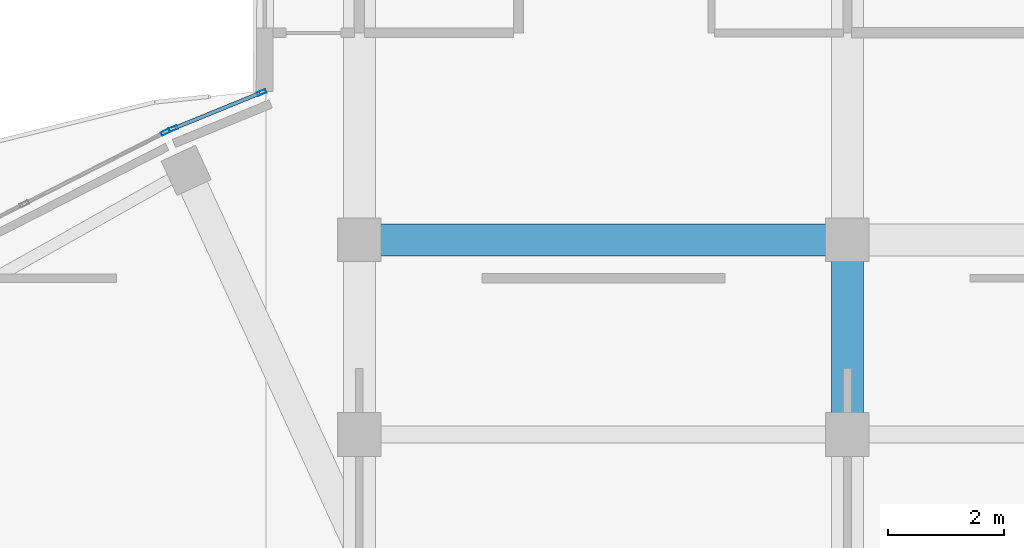
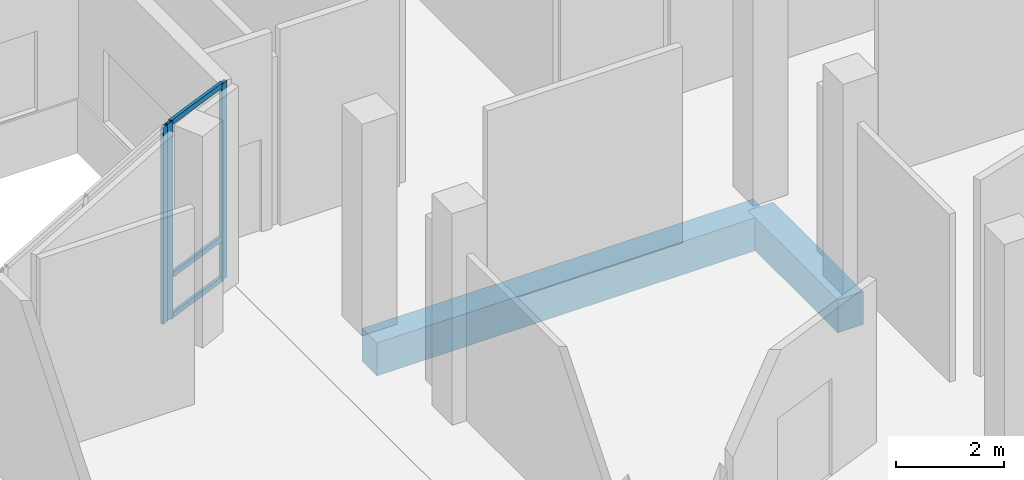
# One storey, part 80 of 155: 6 members, 2 beams, 2 elements without a shape of their own.
"""IFC4 building model written with IfcOpenShell, lengths in metres."""

from ifc_helpers import new_model, si_unit, direction, frame, origin, origin_2d, place, context, subcontext, project, spatial, rectangle, hollow_rectangle, extrude, material, material_profile, profile_set, type_object, element, aggregate, save


model = new_model("IFC4")

# Units and contexts
model_context = context("Model", 3, precision=1e-05, world=origin(), true_north=direction((0.0, 1.0)))
body_context = subcontext(model_context, "Body", "Model", "MODEL_VIEW")
ifc_project = project(units=[si_unit("LENGTHUNIT", "METRE"), si_unit("AREAUNIT", "SQUARE_METRE"), si_unit("VOLUMEUNIT", "CUBIC_METRE"), si_unit("PLANEANGLEUNIT", "RADIAN"), si_unit("MASSUNIT", "GRAM", prefix="KILO")], contexts=[model_context])

# Site, building, storey
site_placement = place(None, origin())
site = spatial("IfcSite", under=ifc_project, at=site_placement, CompositionType="ELEMENT")
building_placement = place(site_placement, origin())
building = spatial("IfcBuilding", under=site, at=building_placement, Name="Selatvlak General Hospital", CompositionType="ELEMENT")
storey_placement = place(building_placement, frame((0.0, 0.0, 10.199951171875)))
storey = spatial("IfcBuildingStorey", under=building, at=storey_placement, Name="L02", CompositionType="ELEMENT", Elevation=10.199951171875)

# Beams
ifc_material_1 = material(Name="Concrete C40/50", Category="concrete")
ifc_material_profile_1 = material_profile(ifc_material_1, rectangle(XDim=0.550048828125, YDim=0.75, at=origin_2d()), Name="RC-BM 550x750")
ifc_profile_set_1 = profile_set([ifc_material_profile_1], Name="Concrete C40/50")
beam_type = type_object("IfcBeamType", Name="BM-G02", PredefinedType="BEAM", material=ifc_profile_set_1)
beam_1_placement = place(storey_placement, frame((115.199951171875, 76.0, -0.72998046875), z_axis=(1.0, 0.0, 0.0), x_axis=(0.0, 1.0, 0.0)))
element("IfcBeam", 1, at=beam_1_placement, inside=storey, type_object=beam_type, Name="Beam BMR-L02-0798", PredefinedType="BEAM", context=body_context, shape_type="SweptSolid", body=[
    extrude(rectangle(XDim=0.550048828125, YDim=0.75, at=origin_2d()), origin(), (0.0, 0.0, 1.0), 8.400146484375),
])
beam_2_placement = place(storey_placement, frame((123.60009765625, 72.64990234375, -0.72998046875), z_axis=(0.0, 1.0, 0.0), x_axis=(-1.0, 0.0, 0.0)))
element("IfcBeam", 2, at=beam_2_placement, inside=storey, type_object=beam_type, Name="Beam BMR-L02-1012", PredefinedType="BEAM", context=body_context, shape_type="SweptSolid", body=[
    extrude(rectangle(XDim=0.550048828125, YDim=0.75, at=origin_2d()), origin(), (0.0, 0.0, 1.0), 3.35009765625),
])

# Curtain wall, member
ifc_material_2 = material(Name="Solar-control Low-E double glazing", Category="glass")
curtain_wall_type_1 = type_object("IfcCurtainWallType", Name="CW-CW-01", PredefinedType="USERDEFINED", material=ifc_material_2)
curtain_wall_1_placement = place(storey_placement, origin())
curtain_wall_1 = element("IfcCurtainWall", 3, at=curtain_wall_1_placement, inside=storey, type_object=curtain_wall_type_1, Name="Glazed facade curtain wall CW-L02-0355", ObjectType="UNITISED CURTAIN WALL", PredefinedType="USERDEFINED")
ifc_material_3 = material(Name="Dark anodised aluminium mullion", Category="aluminium")
ifc_material_profile_2 = material_profile(ifc_material_3, hollow_rectangle(XDim=0.06494140625, YDim=0.159912109375, WallThickness=0.00390625, at=origin_2d()), Name="AL-MUL 65x160x4")
ifc_profile_set_2 = profile_set([ifc_material_profile_2], Name="Dark anodised aluminium mullion")
member_type_1 = type_object("IfcMemberType", Name="CWM-01", PredefinedType="MULLION", material=ifc_profile_set_2)
member_1_placement = place(storey_placement, frame((111.866943359375, 77.854248046875, 0.0), z_axis=(0.0, 0.0, 1.0), x_axis=(-0.453361318983, 0.891326828077, 0.0)))
member_1 = element("IfcMember", 4, at=member_1_placement, type_object=member_type_1, Name="CW-01 mullion 3", PredefinedType="MULLION", context=body_context, shape_type="SweptSolid", body=[
    extrude(hollow_rectangle(XDim=0.06494140625, YDim=0.159912109375, WallThickness=0.00390625, at=origin_2d()), origin(), (0.0, 0.0, 1.0), 4.4599609375),
])
aggregate(curtain_wall_1, [member_1])

# Curtain wall, members
curtain_wall_type_2 = type_object("IfcCurtainWallType", Name="CW-CW-02", PredefinedType="USERDEFINED", material=ifc_material_2)
curtain_wall_2_placement = place(storey_placement, origin())
curtain_wall_2 = element("IfcCurtainWall", 5, at=curtain_wall_2_placement, inside=storey, type_object=curtain_wall_type_2, Name="Glazed facade curtain wall CW-L02-0356", ObjectType="UNITISED CURTAIN WALL", PredefinedType="USERDEFINED")
member_2_placement = place(storey_placement, frame((111.9990234375, 77.913330078125, 0.0), z_axis=(0.0, 0.0, 1.0), x_axis=(-0.377948250587, 0.925826722383, 0.0)))
member_2 = element("IfcMember", 6, at=member_2_placement, type_object=member_type_1, Name="CW-02 mullion 1", PredefinedType="MULLION", context=body_context, shape_type="SweptSolid", body=[
    extrude(hollow_rectangle(XDim=0.06494140625, YDim=0.159912109375, WallThickness=0.00390625, at=origin_2d()), origin(), (0.0, 0.0, 1.0), 4.4599609375),
])
member_3_placement = place(storey_placement, frame((113.518798828125, 78.53369140625, 0.0), z_axis=(0.0, 0.0, 1.0), x_axis=(-0.377948250587, 0.925826722383, 0.0)))
member_3 = element("IfcMember", 7, at=member_3_placement, type_object=member_type_1, Name="CW-02 mullion 2", PredefinedType="MULLION", context=body_context, shape_type="SweptSolid", body=[
    extrude(hollow_rectangle(XDim=0.06494140625, YDim=0.159912109375, WallThickness=0.00390625, at=origin_2d()), origin(), (0.0, 0.0, 1.0), 4.4599609375),
])
ifc_material_profile_3 = material_profile(ifc_material_3, hollow_rectangle(XDim=0.06494140625, YDim=0.1201171875, WallThickness=0.00390625, at=origin_2d()), Name="AL-TRN 65x120x4")
ifc_profile_set_3 = profile_set([ifc_material_profile_3], Name="Dark anodised aluminium mullion")
member_type_2 = type_object("IfcMemberType", Name="CWT-01", PredefinedType="USERDEFINED", material=ifc_profile_set_3)
member_4_placement = place(storey_placement, frame((112.029296875, 77.925537109375, 0.032470703125), z_axis=(0.925793450166, 0.378029744372, 0.0), x_axis=(-0.378029744372, 0.925793450166, 0.0)))
member_4 = element("IfcMember", 8, at=member_4_placement, type_object=member_type_2, Name="CW-02 transom 1.1", ObjectType="TRANSOM", PredefinedType="USERDEFINED", context=body_context, shape_type="SweptSolid", body=[
    extrude(hollow_rectangle(XDim=0.06494140625, YDim=0.1201171875, WallThickness=0.00390625, at=origin_2d()), origin(), (0.0, 0.0, 1.0), 1.576416015625),
])
member_5_placement = place(storey_placement, frame((112.029296875, 77.925537109375, 0.949951171875), z_axis=(0.925793450166, 0.378029744372, 0.0), x_axis=(-0.378029744372, 0.925793450166, 0.0)))
member_5 = element("IfcMember", 9, at=member_5_placement, type_object=member_type_2, Name="CW-02 transom 1.2", ObjectType="TRANSOM", PredefinedType="USERDEFINED", context=body_context, shape_type="SweptSolid", body=[
    extrude(hollow_rectangle(XDim=0.06494140625, YDim=0.1201171875, WallThickness=0.00390625, at=origin_2d()), origin(), (0.0, 0.0, 1.0), 1.576416015625),
])
member_6_placement = place(storey_placement, frame((112.029296875, 77.925537109375, 4.427490234375), z_axis=(0.925793450166, 0.378029744372, 0.0), x_axis=(-0.378029744372, 0.925793450166, 0.0)))
member_6 = element("IfcMember", 10, at=member_6_placement, type_object=member_type_2, Name="CW-02 transom 1.3", ObjectType="TRANSOM", PredefinedType="USERDEFINED", context=body_context, shape_type="SweptSolid", body=[
    extrude(hollow_rectangle(XDim=0.06494140625, YDim=0.1201171875, WallThickness=0.00390625, at=origin_2d()), origin(), (0.0, 0.0, 1.0), 1.576416015625),
])
aggregate(curtain_wall_2, [member_2, member_3, member_4, member_5, member_6])

save(model, "model.ifc")
